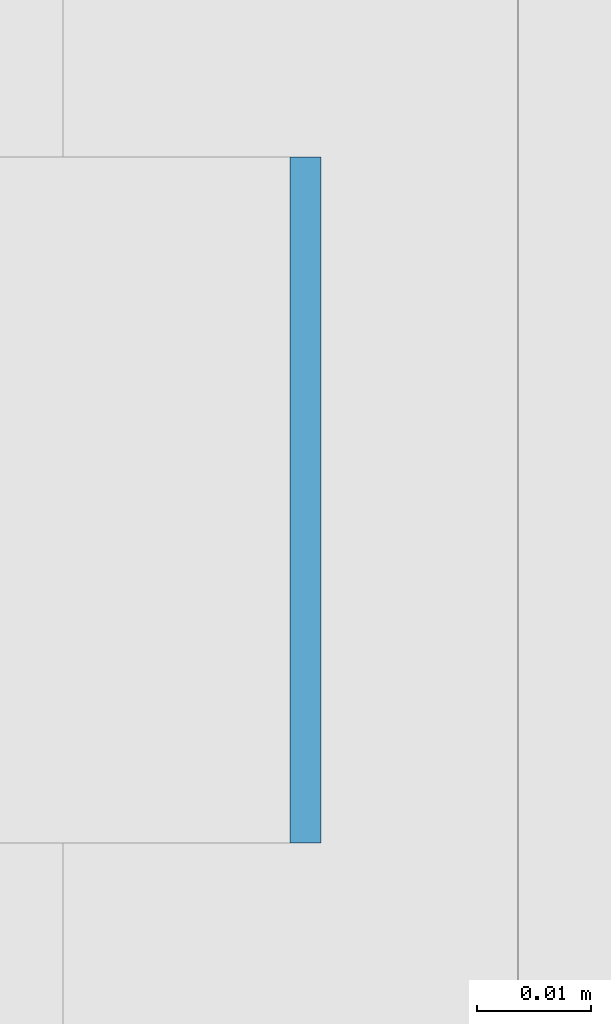
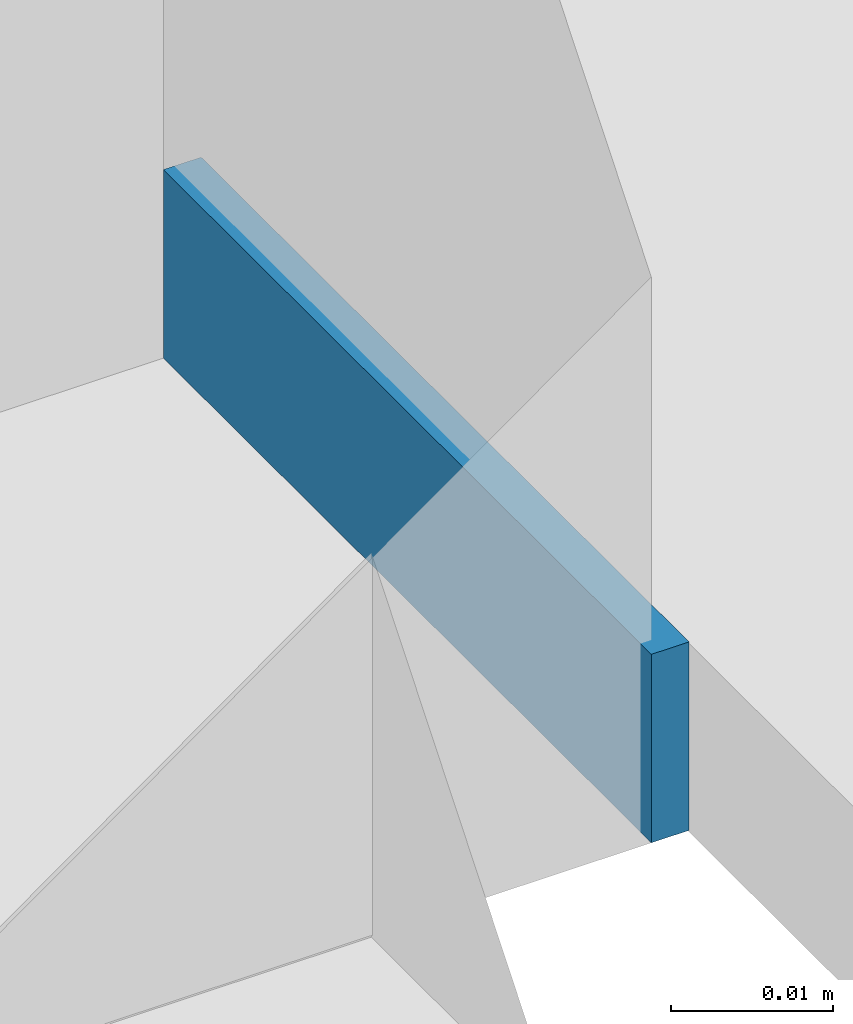
# One storey, part 324 of 646: 1 discrete accessory.
"""IFC4 building model written with IfcOpenShell, lengths in metres."""

from ifc_helpers import new_model, si_unit, direction, frame, origin, origin_2d, place, context, subcontext, project, spatial, rectangle, extrude, material, type_object, element, save


model = new_model("IFC4")

# Units and contexts
model_context = context("Model", 3, precision=1e-05, world=origin(), true_north=direction((0.0, 1.0)))
body_context = subcontext(model_context, "Body", "Model", "MODEL_VIEW")
ifc_project = project(units=[si_unit("LENGTHUNIT", "METRE"), si_unit("AREAUNIT", "SQUARE_METRE"), si_unit("VOLUMEUNIT", "CUBIC_METRE"), si_unit("PLANEANGLEUNIT", "RADIAN"), si_unit("MASSUNIT", "GRAM", prefix="KILO")], contexts=[model_context])

# Site, building, storey
site_placement = place(None, origin())
site = spatial("IfcSite", under=ifc_project, at=site_placement, CompositionType="ELEMENT")
building_placement = place(site_placement, origin())
building = spatial("IfcBuilding", under=site, at=building_placement, Name="Silverbay Arena", CompositionType="ELEMENT")
storey_placement = place(building_placement, frame((0.0, 0.0, 33.5)))
storey = spatial("IfcBuildingStorey", under=building, at=storey_placement, Name="L05", CompositionType="ELEMENT", Elevation=33.5)

# Discrete accessory
ifc_material = material(Name="Steel S355", Category="steel")
discrete_accessory_type = type_object("IfcDiscreteAccessoryType", Name="Steel bracket plate", PredefinedType="BRACKET", material=ifc_material)
discrete_accessory_placement = place(storey_placement, frame((53.871337890625, 75.857177734375, 4.0), z_axis=(0.0, 0.0, 1.0), x_axis=(1.0, 0.0, 0.0)))
element("IfcDiscreteAccessory", 1, at=discrete_accessory_placement, inside=storey, type_object=discrete_accessory_type, Name="Curtain wall packing plate", PredefinedType="BRACKET", context=body_context, shape_type="SweptSolid", body=[
    extrude(rectangle(XDim=0.002685546875, YDim=0.06005859375, at=origin_2d()), origin(), (0.0, 0.0, 1.0), 0.01416015625),
])

save(model, "model.ifc")
